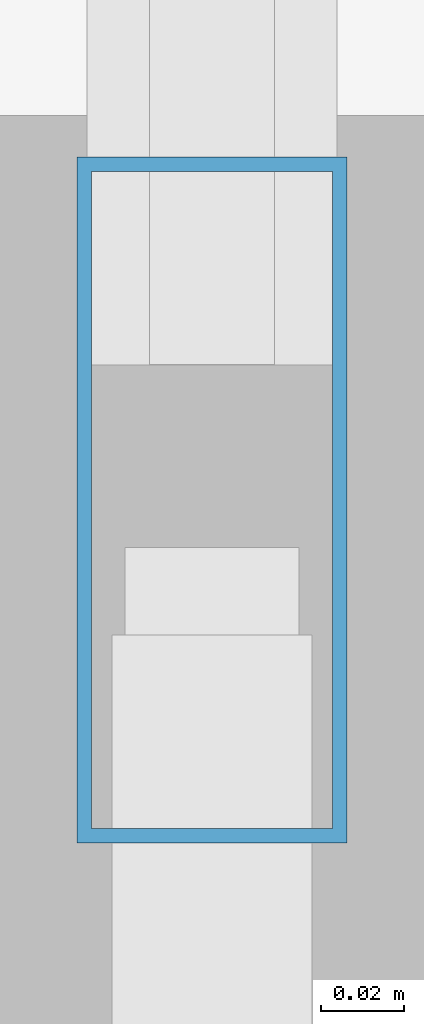
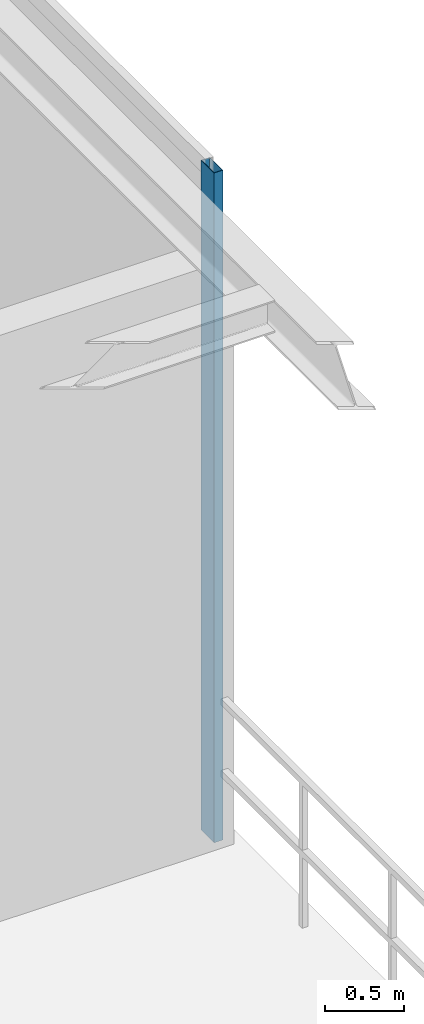
# One storey, part 10 of 21: 1 member, 1 element without a shape of its own.
"""IFC4 building model written with IfcOpenShell, lengths in metres."""

from ifc_helpers import new_model, si_unit, direction, frame, origin, origin_2d, place, context, subcontext, project, spatial, hollow_rectangle, extrude, source, transform, mapped, material, layer, layer_set, material_profile, profile_set, type_object, type_shapes, element, aggregate, save


model = new_model("IFC4")

# Units and contexts
model_context = context("Model", 3, precision=1e-05, world=origin(), true_north=direction((0.0, 1.0)))
body_context = subcontext(model_context, "Body", "Model", "MODEL_VIEW")
ifc_project = project(units=[si_unit("LENGTHUNIT", "METRE"), si_unit("AREAUNIT", "SQUARE_METRE"), si_unit("VOLUMEUNIT", "CUBIC_METRE"), si_unit("PLANEANGLEUNIT", "RADIAN"), si_unit("MASSUNIT", "GRAM", prefix="KILO")], contexts=[model_context])

# Site, building, storey
site_placement = place(None, origin())
site = spatial("IfcSite", under=ifc_project, at=site_placement, CompositionType="ELEMENT")
building_placement = place(site_placement, origin())
building = spatial("IfcBuilding", under=site, at=building_placement, Name="Varnel Quay Broadcast Tower", CompositionType="ELEMENT")
storey_placement = place(building_placement, frame((0.0, 0.0, 234.0)))
storey = spatial("IfcBuildingStorey", under=building, at=storey_placement, Name="L58", CompositionType="ELEMENT", Elevation=234.0)

# Curtain wall, member
ifc_material = material(Name="Anodised Bronze Aluminium 6063-T6", Category="aluminium")
ifc_layer = layer(ifc_material, 0.18994140625, Name="Anodised Bronze Aluminium 6063-T6")
ifc_layer_set = layer_set([ifc_layer], Name="Anodised Bronze Aluminium 6063-T6")
curtain_wall_type = type_object("IfcCurtainWallType", Name="CW_UpperTower", PredefinedType="NOTDEFINED", material=ifc_layer_set)
curtain_wall_placement = place(storey_placement, origin())
curtain_wall = element("IfcCurtainWall", 1, at=curtain_wall_placement, inside=storey, type_object=curtain_wall_type, Name="L58 East Plant Curtain Wall", PredefinedType="NOTDEFINED")
ifc_material_profile = material_profile(ifc_material, hollow_rectangle(XDim=0.06494140625, YDim=0.1650390625, WallThickness=0.00341796875, at=origin_2d()), Name="ALU65X165X3.5")
ifc_profile_set = profile_set([ifc_material_profile], Name="Anodised Bronze Aluminium 6063-T6")
member_type = type_object("IfcMemberType", Name="Mull_CWS-03", PredefinedType="MULLION", material=ifc_profile_set)
shared_shape = source(origin(), body_context, "Body", "SweptSolid", [
    extrude(hollow_rectangle(XDim=0.06494140625, YDim=0.1650390625, WallThickness=0.00341796875, at=origin_2d()), origin(), (0.0, 0.0, 1.0), 5.14990234375),
])
type_shapes(member_type, [shared_shape])
member_placement = place(storey_placement, frame((58.35009765625, 24.83251953125, 0.0), z_axis=(0.0, 0.0, 1.0), x_axis=(-1.0, 0.0, 0.0)))
member = element("IfcMember", 2, at=member_placement, type_object=member_type, Name="CWS-03 mullion 1", PredefinedType="MULLION", context=body_context, shape_type="MappedRepresentation", body=[
    mapped(shared_shape, transform((0.0, 0.0, 0.0), x_axis=(1.0, 0.0, 0.0), y_axis=(0.0, 1.0, 0.0), z_axis=(0.0, 0.0, 1.0), scale=1.0)),
])
aggregate(curtain_wall, [member])

save(model, "model.ifc")
